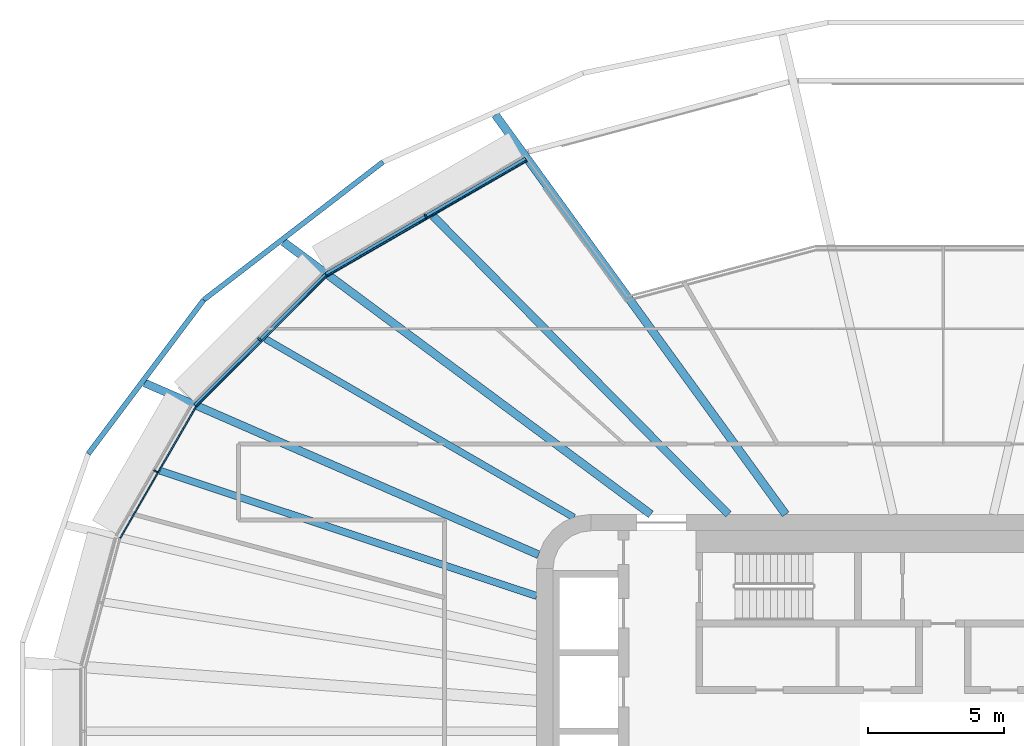
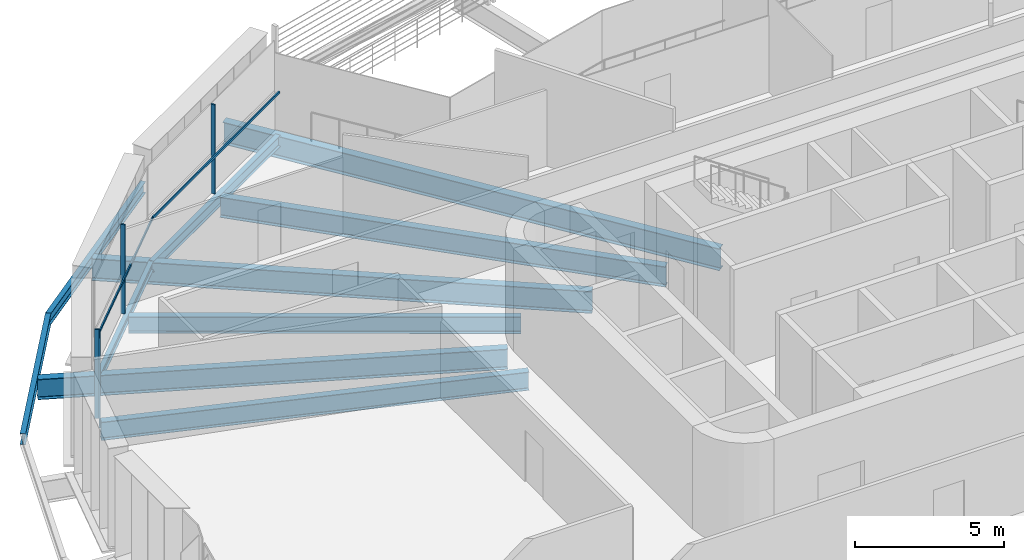
# One storey, part 7 of 24: 10 beams, 6 members, 3 elements without a shape of their own.
"""IFC4 building model written with IfcOpenShell, lengths in metres."""

import ifcopenshell
import ifcopenshell.guid

model = None  # the IFC model being written
_history = None  # IfcOwnerHistory: only IFC2X3 demands one
_inside = {}  # id of a spatial element -> (the spatial element, [elements in it])
_under = {}  # id of a project, library or spatial element -> (it, [spatial elements below it])
_declared = {}  # id of a project -> (the project, [libraries it declares])
_typed = {}  # id of a type object -> (the type object, [elements of that type])
_made_of = {}  # id of a material, layer set ... -> (it, [elements and type objects made of it])


def new_model(schema):
    """Start an empty IFC model of exactly this schema.

    Asked for "IFC4X3", IfcOpenShell would pick the latest addendum, in which some entities
    have other attributes; the version numbers below select the first issue.
    IFC2X3 requires an IfcOwnerHistory on every rooted entity: one is made here for all.
    """
    global model, _history
    if schema == "IFC4X3":
        model = ifcopenshell.file(schema_version=(4, 3, 0, 0))
    else:
        model = ifcopenshell.file(schema=schema)
    _inside.clear()
    _under.clear()
    _declared.clear()
    _typed.clear()
    _made_of.clear()
    _history = None
    if model.schema == "IFC2X3":
        org = make("IfcOrganization", Name="unknown")
        user = make(
            "IfcPersonAndOrganization",
            ThePerson=make("IfcPerson", FamilyName="unknown"),
            TheOrganization=org,
        )
        app = make(
            "IfcApplication",
            ApplicationDeveloper=org,
            Version="unknown",
            ApplicationFullName="unknown",
            ApplicationIdentifier="unknown",
        )
        _history = make(
            "IfcOwnerHistory",
            OwningUser=user,
            OwningApplication=app,
            ChangeAction="ADDED",
            CreationDate=0,
        )
    return model


def make(cls, **values):
    """One entity of the class cls with the attributes given. An attribute that is None is left unset."""
    return model.create_entity(
        cls, **{name: value for name, value in values.items() if value is not None}
    )


def rooted(cls, **values):
    """An entity with a GlobalId (a new one), such as an element, a storey or a relation."""
    return make(cls, GlobalId=ifcopenshell.guid.new(), OwnerHistory=_history, **values)


def si_unit(unit_type, name, prefix=None):
    """IfcSIUnit, for example si_unit("LENGTHUNIT", "METRE", prefix="MILLI")."""
    return make("IfcSIUnit", UnitType=unit_type, Prefix=prefix, Name=name)


def assignment(units):
    """IfcUnitAssignment: the units of a project."""
    return None if units is None else make("IfcUnitAssignment", Units=units)


def point(xyz):
    """IfcCartesianPoint."""
    return None if xyz is None else make("IfcCartesianPoint", Coordinates=xyz)


def direction(xyz):
    """IfcDirection."""
    return None if xyz is None else make("IfcDirection", DirectionRatios=xyz)


def frame(location, z_axis=None, x_axis=None):
    """IfcAxis2Placement3D, a coordinate frame: its origin and axes. An axis left out is left unset."""
    return make(
        "IfcAxis2Placement3D",
        Location=point(location),
        Axis=direction(z_axis),
        RefDirection=direction(x_axis),
    )


def frame_2d(location, x_axis=None):
    """IfcAxis2Placement2D, a coordinate frame in the plane: its origin and x axis."""
    return make(
        "IfcAxis2Placement2D", Location=point(location), RefDirection=direction(x_axis)
    )


def origin():
    """The frame at (0, 0, 0) with its axes left unset."""
    return frame((0.0, 0.0, 0.0))


def origin_2d():
    """The frame at (0, 0) in the plane with its x axis left unset."""
    return frame_2d((0.0, 0.0))


def place(relative_to, where):
    """IfcLocalPlacement: puts the frame where relative to a parent placement (None: the world)."""
    return make(
        "IfcLocalPlacement", PlacementRelTo=relative_to, RelativePlacement=where
    )


def context(
    kind, dimensions, precision=None, world=None, true_north=None, identifier=None
):
    """IfcGeometricRepresentationContext, for example the 3D "Model" context."""
    return make(
        "IfcGeometricRepresentationContext",
        ContextIdentifier=identifier,
        ContextType=kind,
        CoordinateSpaceDimension=dimensions,
        Precision=precision,
        WorldCoordinateSystem=world,
        TrueNorth=true_north,
    )


def subcontext(parent, identifier, kind, view, scale=None):
    """IfcGeometricRepresentationSubContext, for example "Body" below "Model"."""
    return make(
        "IfcGeometricRepresentationSubContext",
        ContextIdentifier=identifier,
        ContextType=kind,
        ParentContext=parent,
        TargetScale=scale,
        TargetView=view,
    )


def project(units=None, contexts=None):
    """IfcProject with its units and contexts."""
    return rooted(
        "IfcProject",
        Name="project",
        RepresentationContexts=contexts,
        UnitsInContext=assignment(units),
    )


def spatial(cls, under=None, at=None, **own):
    """A site, building, storey or space (cls), placed at a placement, below another one or the project."""
    s = rooted(cls, ObjectPlacement=at, **own)
    if under is not None:
        _under.setdefault(under.id(), (under, []))[1].append(s)
    return s


def profile(cls, at=None, kind="AREA", **sizes):
    """A parametric profile (cls). Its sizes go by their IFC names, for example OverallWidth=200.0."""
    return make(cls, ProfileType=kind, Position=at, **sizes)


def rectangle(**sizes):
    """IfcRectangleProfileDef."""
    return profile("IfcRectangleProfileDef", **sizes)


def i_section(**sizes):
    """IfcIShapeProfileDef."""
    return profile("IfcIShapeProfileDef", **sizes)


def extrude(swept, where, along, depth):
    """IfcExtrudedAreaSolid: the profile swept, set in the frame where, extruded along a direction by depth."""
    return make(
        "IfcExtrudedAreaSolid",
        SweptArea=swept,
        Position=where,
        ExtrudedDirection=direction(along),
        Depth=depth,
    )


def shape(context_of_items, identifier, shape_type, items):
    """IfcShapeRepresentation: the items that make up one representation, for example the "Body"."""
    return make(
        "IfcShapeRepresentation",
        ContextOfItems=context_of_items,
        RepresentationIdentifier=identifier,
        RepresentationType=shape_type,
        Items=items,
    )


def material(Name=None, Category=None):
    """IfcMaterial."""
    return make("IfcMaterial", Name=Name, Category=Category)


def layer(
    of_material, thickness, ventilated=None, Name=None, Category=None, Priority=None
):
    """IfcMaterialLayer: one layer of a wall or slab, of a material (None: an air gap)."""
    return make(
        "IfcMaterialLayer",
        Material=of_material,
        LayerThickness=thickness,
        IsVentilated=ventilated,
        Name=Name,
        Category=Category,
        Priority=Priority,
    )


def layer_set(layers, Name=None):
    """IfcMaterialLayerSet."""
    return make("IfcMaterialLayerSet", MaterialLayers=layers, LayerSetName=Name)


def material_profile(
    of_material, cross_section, Name=None, Category=None, Priority=None
):
    """IfcMaterialProfile: a cross section and its material."""
    return make(
        "IfcMaterialProfile",
        Name=Name,
        Material=of_material,
        Profile=cross_section,
        Priority=Priority,
        Category=Category,
    )


def profile_set(profiles, Name=None, composite=None):
    """IfcMaterialProfileSet."""
    return make(
        "IfcMaterialProfileSet",
        Name=Name,
        MaterialProfiles=profiles,
        CompositeProfile=composite,
    )


def made_of(thing, what):
    """Note that an element or type object is made of a material, layer set ...; save() writes the relation."""
    if what is not None:
        _made_of.setdefault(what.id(), (what, []))[1].append(thing)
    return thing


def type_object(cls, material=None, **own):
    """A type object (cls), such as IfcWallType, which elements share."""
    return made_of(rooted(cls, **own), material)


def element(
    cls,
    number,
    at=None,
    inside=None,
    cuts=None,
    type_object=None,
    material=None,
    context=None,
    identifier="Body",
    shape_type=None,
    held_by="IfcProductDefinitionShape",
    body=None,
    shapes=None,
    **own,
):
    """One element of the class cls, such as IfcWall. Its Tag is "e" and its number.

    at: its placement. inside: the storey or other place that contains it. cuts: it is an
    opening in that element (IfcRelVoidsElement). A single representation is given by context,
    identifier, shape_type and body (its items); several are given by shapes. held_by: the class
    of the entity that holds the representations. save() writes the other relations.
    """
    e = rooted(cls, Tag="e%d" % number, ObjectPlacement=at, **own)
    if body is not None:
        shapes = [shape(context, identifier, shape_type, body)]
    if shapes is not None:
        e.Representation = make(held_by, Representations=shapes)
    if inside is not None:
        _inside.setdefault(inside.id(), (inside, []))[1].append(e)
    if cuts is not None:
        rooted(
            "IfcRelVoidsElement", RelatingBuildingElement=cuts, RelatedOpeningElement=e
        )
    if type_object is not None:
        _typed.setdefault(type_object.id(), (type_object, []))[1].append(e)
    return made_of(e, material)


def aggregate(whole, parts):
    """IfcRelAggregates: a whole, such as a stair, and the parts it consists of."""
    return rooted("IfcRelAggregates", RelatingObject=whole, RelatedObjects=parts)


def save(model, path):
    """Write the relations noted so far, then the file.

    IfcRelAggregates (storeys below a building ...), IfcRelContainedInSpatialStructure (elements
    in a storey), IfcRelDefinesByType, IfcRelAssociatesMaterial and IfcRelDeclares: one each for
    every whole, place, type object, material and project.
    """
    for whole, parts in _under.values():
        aggregate(whole, parts)
    for where, things in _inside.values():
        rooted(
            "IfcRelContainedInSpatialStructure",
            RelatedElements=things,
            RelatingStructure=where,
        )
    for kind, things in _typed.values():
        rooted("IfcRelDefinesByType", RelatedObjects=things, RelatingType=kind)
    for what, things in _made_of.values():
        rooted("IfcRelAssociatesMaterial", RelatedObjects=things, RelatingMaterial=what)
    for by, libraries in _declared.values():
        rooted("IfcRelDeclares", RelatingContext=by, RelatedDefinitions=libraries)
    model.write(path)


model = new_model("IFC4")

# Units and contexts
model_context = context("Model", 3, precision=1e-05, world=origin(), true_north=direction((0.0, 1.0)))
body_context = subcontext(model_context, "Body", "Model", "MODEL_VIEW")
ifc_project = project(units=[si_unit("LENGTHUNIT", "METRE"), si_unit("AREAUNIT", "SQUARE_METRE"), si_unit("VOLUMEUNIT", "CUBIC_METRE"), si_unit("PLANEANGLEUNIT", "RADIAN"), si_unit("MASSUNIT", "GRAM", prefix="KILO")], contexts=[model_context])

# Site, building, storey
site_placement = place(None, origin())
site = spatial("IfcSite", under=ifc_project, at=site_placement, CompositionType="ELEMENT")
building_placement = place(site_placement, origin())
building = spatial("IfcBuilding", under=site, at=building_placement, Name="Sahrelin Media Tower", CompositionType="ELEMENT")
storey_placement = place(building_placement, frame((0.0, 0.0, 123.0)))
storey = spatial("IfcBuildingStorey", under=building, at=storey_placement, Name="L24", CompositionType="ELEMENT", Elevation=123.0)

# Beams
ifc_material_1 = material(Name="Steel S355", Category="steel")
ifc_material_profile_1 = material_profile(ifc_material_1, i_section(OverallWidth=0.17138671875, OverallDepth=0.35498046875, WebThickness=0.00732421875, FlangeThickness=0.011474609375, FilletRadius=0.01025390625, at=origin_2d()), Name="UB 356x171x51")
ifc_profile_set_1 = profile_set([ifc_material_profile_1], Name="Steel S355")
beam_type_1 = type_object("IfcBeamType", Name="Edge beam EB3", PredefinedType="BEAM", material=ifc_profile_set_1)
beam_1_placement = place(storey_placement, frame((-27.593017578125, 12.00830078125, -0.327392578125), z_axis=(0.70712470554, 0.707088856379, 0.0), x_axis=(-0.707088856379, 0.70712470554, 0.0)))
element("IfcBeam", 1, at=beam_1_placement, inside=storey, type_object=beam_type_1, Name="Edge beam L24-16", PredefinedType="BEAM", context=body_context, shape_type="SweptSolid", body=[
    extrude(i_section(OverallWidth=0.17138671875, OverallDepth=0.35498046875, WebThickness=0.00732421875, FlangeThickness=0.011474609375, FilletRadius=0.01025390625, at=origin_2d()), origin(), (0.0, 0.0, 1.0), 6.810302734375),
])
ifc_material_profile_2 = material_profile(ifc_material_1, i_section(OverallWidth=0.1904296875, OverallDepth=0.45703125, WebThickness=0.009033203125, FlangeThickness=0.014404296875, FilletRadius=0.01025390625, at=origin_2d()), Name="UB 457x191x74")
ifc_profile_set_2 = profile_set([ifc_material_profile_2], Name="Steel S355")
beam_type_2 = type_object("IfcBeamType", Name="Edge beam EB5", PredefinedType="BEAM", material=ifc_profile_set_2)
beam_2_placement = place(storey_placement, frame((-22.75439453125, 16.84130859375, -0.37841796875), z_axis=(0.866022555323, 0.500004933648, 0.0), x_axis=(-0.500004933648, 0.866022555323, 0.0)))
element("IfcBeam", 2, at=beam_2_placement, inside=storey, type_object=beam_type_2, Name="Edge beam L24-17", PredefinedType="BEAM", context=body_context, shape_type="SweptSolid", body=[
    extrude(i_section(OverallWidth=0.1904296875, OverallDepth=0.45703125, WebThickness=0.009033203125, FlangeThickness=0.014404296875, FilletRadius=0.01025390625, at=origin_2d()), origin(), (0.0, 0.0, 1.0), 8.50390625),
])

# Curtain wall, member
ifc_material_2 = material(Name="Champagne anodised aluminium 6063-T6", Category="aluminium")
ifc_layer = layer(ifc_material_2, 0.14990234375)
ifc_layer_set = layer_set([ifc_layer], Name="Tower ribbon curtain wall")
curtain_wall_type = type_object("IfcCurtainWallType", Name="Tower ribbon curtain wall", PredefinedType="NOTDEFINED", material=ifc_layer_set)
curtain_wall_1_placement = place(storey_placement, frame((-19.147216796875, 19.09716796875, 0.0), z_axis=(0.0, 0.0, 1.0), x_axis=(1.0, 0.0, 0.0)))
curtain_wall_1 = element("IfcCurtainWall", 3, at=curtain_wall_1_placement, inside=storey, type_object=curtain_wall_type, Name="L24:CW:L24-08", PredefinedType="NOTDEFINED")
ifc_material_profile_3 = material_profile(ifc_material_2, rectangle(XDim=0.06005859375, YDim=0.14990234375, at=origin_2d()), Name="Mullion 60x150")
ifc_profile_set_3 = profile_set([ifc_material_profile_3], Name="Champagne anodised aluminium 6063-T6")
member_type_1 = type_object("IfcMemberType", Name="Mullion 60x150 CW1", PredefinedType="MULLION", material=ifc_profile_set_3)
member_1_placement = place(storey_placement, frame((-19.099609375, 19.014892578125, 0.0), z_axis=(0.0, 0.0, 1.0), x_axis=(-0.866022785779, -0.500004534492, 0.0)))
member_1 = element("IfcMember", 4, at=member_1_placement, type_object=member_type_1, Name="L24:CWM:L24-08", PredefinedType="MULLION", context=body_context, shape_type="SweptSolid", body=[
    extrude(rectangle(XDim=0.06005859375, YDim=0.14990234375, at=origin_2d()), origin(), (0.0, 0.0, 1.0), 3.648681640625),
])

curtain_wall_2_placement = place(storey_placement, frame((-25.291259765625, 14.52197265625, 0.0), z_axis=(0.0, 0.0, 1.0), x_axis=(1.0, 0.0, 0.0)))
curtain_wall_2 = element("IfcCurtainWall", 5, at=curtain_wall_2_placement, inside=storey, type_object=curtain_wall_type, Name="L24:CW:L24-09", PredefinedType="NOTDEFINED")
member_2_placement = place(storey_placement, frame((-25.22412109375, 14.454833984375, 0.0), z_axis=(0.0, 0.0, 1.0), x_axis=(-0.707106781187, -0.707106781187, 0.0)))
member_2 = element("IfcMember", 6, at=member_2_placement, type_object=member_type_1, Name="L24:CWM:L24-09", PredefinedType="MULLION", context=body_context, shape_type="SweptSolid", body=[
    extrude(rectangle(XDim=0.06005859375, YDim=0.14990234375, at=origin_2d()), origin(), (0.0, 0.0, 1.0), 3.648681640625),
])

curtain_wall_3_placement = place(storey_placement, frame((-29.138916015625, 9.63818359375, 0.0), z_axis=(0.0, 0.0, 1.0), x_axis=(1.0, 0.0, 0.0)))
curtain_wall_3 = element("IfcCurtainWall", 7, at=curtain_wall_3_placement, inside=storey, type_object=curtain_wall_type, Name="L24:CW:L24-10", PredefinedType="NOTDEFINED")
member_3_placement = place(storey_placement, frame((-29.056396484375, 9.590576171875, 0.0), z_axis=(0.0, 0.0, 1.0), x_axis=(-0.4999984885, -0.866026276448, 0.0)))
member_3 = element("IfcMember", 8, at=member_3_placement, type_object=member_type_1, Name="L24:CWM:L24-10", PredefinedType="MULLION", context=body_context, shape_type="SweptSolid", body=[
    extrude(rectangle(XDim=0.06005859375, YDim=0.14990234375, at=origin_2d()), origin(), (0.0, 0.0, 1.0), 3.648681640625),
])

# Beams
ifc_material_profile_4 = material_profile(ifc_material_1, i_section(OverallWidth=0.291748046875, OverallDepth=0.8349609375, WebThickness=0.013916015625, FlangeThickness=0.018798828125, FilletRadius=0.017822265625, at=origin_2d()), Name="UB 838x292x176")
ifc_profile_set_4 = profile_set([ifc_material_profile_4], Name="Steel S355")
beam_type_3 = type_object("IfcBeamType", Name="Radial primary beam PB10", PredefinedType="BEAM", material=ifc_profile_set_4)
beam_3_placement = place(storey_placement, frame((-14.9326171875, 6.51220703125, -0.5673828125), z_axis=(-0.916634616148, 0.399726131844, 0.0), x_axis=(-0.399726131844, -0.916634616148, 0.0)))
element("IfcBeam", 9, at=beam_3_placement, inside=storey, type_object=beam_type_3, Name="Radial beam L24-10", PredefinedType="BEAM", context=body_context, shape_type="SweptSolid", body=[
    extrude(i_section(OverallWidth=0.291748046875, OverallDepth=0.8349609375, WebThickness=0.013916015625, FlangeThickness=0.018798828125, FilletRadius=0.017822265625, at=origin_2d()), origin(), (0.0, 0.0, 1.0), 15.8505859375),
])
ifc_material_profile_5 = material_profile(ifc_material_1, i_section(OverallWidth=0.30322265625, OverallDepth=0.903076171875, WebThickness=0.01513671875, FlangeThickness=0.020263671875, FilletRadius=0.01904296875, at=origin_2d()), Name="UB 914x305x201")
ifc_profile_set_5 = profile_set([ifc_material_profile_5], Name="Steel S355")
beam_type_4 = type_object("IfcBeamType", Name="Radial primary beam PB11", PredefinedType="BEAM", material=ifc_profile_set_5)
beam_4_placement = place(storey_placement, frame((-5.813720703125, 8.0, -0.6015625), z_axis=(-0.587854545136, 0.808966645643, 0.0), x_axis=(-0.808966645643, -0.587854545136, 0.0)))
element("IfcBeam", 10, at=beam_4_placement, inside=storey, type_object=beam_type_4, Name="Radial beam L24-08", PredefinedType="BEAM", context=body_context, shape_type="SweptSolid", body=[
    extrude(i_section(OverallWidth=0.30322265625, OverallDepth=0.903076171875, WebThickness=0.01513671875, FlangeThickness=0.020263671875, FilletRadius=0.01904296875, at=origin_2d()), origin(), (0.0, 0.0, 1.0), 18.219482421875),
])
beam_5_placement = place(storey_placement, frame((-10.78662109375, 8.0, -0.6015625), z_axis=(-0.803198279185, 0.595711779566, 0.0), x_axis=(-0.595711779566, -0.803198279185, 0.0)))
element("IfcBeam", 11, at=beam_5_placement, inside=storey, type_object=beam_type_4, Name="Radial beam L24-09", PredefinedType="BEAM", context=body_context, shape_type="SweptSolid", body=[
    extrude(i_section(OverallWidth=0.30322265625, OverallDepth=0.903076171875, WebThickness=0.01513671875, FlangeThickness=0.020263671875, FilletRadius=0.01904296875, at=origin_2d()), origin(), (0.0, 0.0, 1.0), 16.876708984375),
])
ifc_material_profile_6 = material_profile(ifc_material_1, i_section(OverallWidth=0.291748046875, OverallDepth=0.8349609375, WebThickness=0.013916015625, FlangeThickness=0.018798828125, FilletRadius=0.017822265625, at=origin_2d()), Name="UB 838x292x176")
ifc_profile_set_6 = profile_set([ifc_material_profile_6], Name="Steel S355")
beam_type_5 = type_object("IfcBeamType", Name="Radial secondary beam SB10", PredefinedType="BEAM", material=ifc_profile_set_6)
beam_6_placement = place(storey_placement, frame((-7.922607421875, 8.0, -0.5673828125), z_axis=(-0.70365366742, 0.710543113629, 0.0), x_axis=(-0.710543113629, -0.70365366742, 0.0)))
element("IfcBeam", 12, at=beam_6_placement, inside=storey, type_object=beam_type_5, Name="Secondary beam L24-04", PredefinedType="BEAM", context=body_context, shape_type="SweptSolid", body=[
    extrude(i_section(OverallWidth=0.291748046875, OverallDepth=0.8349609375, WebThickness=0.013916015625, FlangeThickness=0.018798828125, FilletRadius=0.017822265625, at=origin_2d()), origin(), (0.0, 0.0, 1.0), 15.48583984375),
])
ifc_material_profile_7 = material_profile(ifc_material_1, i_section(OverallWidth=0.2529296875, OverallDepth=0.677978515625, WebThickness=0.01171875, FlangeThickness=0.01611328125, FilletRadius=0.01513671875, at=origin_2d()), Name="UB 686x254x125")
ifc_profile_set_7 = profile_set([ifc_material_profile_7], Name="Steel S355")
beam_type_6 = type_object("IfcBeamType", Name="Radial secondary beam SB8", PredefinedType="BEAM", material=ifc_profile_set_7)
beam_7_placement = place(storey_placement, frame((-13.626220703125, 7.886962890625, -0.489013671875), z_axis=(-0.865481790925, 0.500940385252, 0.0), x_axis=(-0.500940385252, -0.865481790925, 0.0)))
element("IfcBeam", 13, at=beam_7_placement, inside=storey, type_object=beam_type_6, Name="Secondary beam L24-05", PredefinedType="BEAM", context=body_context, shape_type="SweptSolid", body=[
    extrude(i_section(OverallWidth=0.2529296875, OverallDepth=0.677978515625, WebThickness=0.01171875, FlangeThickness=0.01611328125, FilletRadius=0.01513671875, at=origin_2d()), origin(), (0.0, 0.0, 1.0), 13.148681640625),
])
ifc_material_profile_8 = material_profile(ifc_material_1, i_section(OverallWidth=0.26513671875, OverallDepth=0.75390625, WebThickness=0.0126953125, FlangeThickness=0.017578125, FilletRadius=0.0166015625, at=origin_2d()), Name="UB 762x267x147")
ifc_profile_set_8 = profile_set([ifc_material_profile_8], Name="Steel S355")
beam_type_7 = type_object("IfcBeamType", Name="Radial secondary beam SB9", PredefinedType="BEAM", material=ifc_profile_set_8)
beam_8_placement = place(storey_placement, frame((-15.0, 4.989501953125, -0.527099609375), z_axis=(-0.948886617928, 0.315617151493, 0.0), x_axis=(-0.315617151493, -0.948886617928, 0.0)))
element("IfcBeam", 14, at=beam_8_placement, inside=storey, type_object=beam_type_7, Name="Secondary beam L24-06", PredefinedType="BEAM", context=body_context, shape_type="SweptSolid", body=[
    extrude(i_section(OverallWidth=0.26513671875, OverallDepth=0.75390625, WebThickness=0.0126953125, FlangeThickness=0.017578125, FilletRadius=0.0166015625, at=origin_2d()), origin(), (0.0, 0.0, 1.0), 14.63525390625),
])
ifc_material_profile_9 = material_profile(ifc_material_1, i_section(OverallWidth=0.1904296875, OverallDepth=0.45703125, WebThickness=0.009033203125, FlangeThickness=0.014404296875, FilletRadius=0.01025390625, at=origin_2d()), Name="UB 457x191x74")
ifc_profile_set_9 = profile_set([ifc_material_profile_9], Name="Steel S355")
beam_type_8 = type_object("IfcBeamType", Name="Tie chord TC5", PredefinedType="BEAM", material=ifc_profile_set_9)
beam_9_placement = place(storey_placement, frame((-20.668701171875, 21.00146484375, -0.37841796875), z_axis=(-0.792439163216, -0.609950959178, 0.0), x_axis=(0.609950959178, -0.792439163216, 0.0)))
element("IfcBeam", 15, at=beam_9_placement, inside=storey, type_object=beam_type_8, Name="Tie chord L24-09", PredefinedType="BEAM", context=body_context, shape_type="SweptSolid", body=[
    extrude(i_section(OverallWidth=0.1904296875, OverallDepth=0.45703125, WebThickness=0.009033203125, FlangeThickness=0.014404296875, FilletRadius=0.01025390625, at=origin_2d()), origin(), (0.0, 0.0, 1.0), 8.349365234375),
])
beam_10_placement = place(storey_placement, frame((-27.28515625, 15.90869140625, -0.37841796875), z_axis=(-0.600055058973, -0.79995870281, 0.0), x_axis=(0.79995870281, -0.600055058973, 0.0)))
element("IfcBeam", 16, at=beam_10_placement, inside=storey, type_object=beam_type_8, Name="Tie chord L24-10", PredefinedType="BEAM", context=body_context, shape_type="SweptSolid", body=[
    extrude(i_section(OverallWidth=0.1904296875, OverallDepth=0.45703125, WebThickness=0.009033203125, FlangeThickness=0.014404296875, FilletRadius=0.01025390625, at=origin_2d()), origin(), (0.0, 0.0, 1.0), 7.094482421875),
])

# Member
ifc_material_profile_10 = material_profile(ifc_material_2, rectangle(XDim=0.050048828125, YDim=0.10009765625, at=origin_2d()), Name="Transom 50x100")
ifc_profile_set_10 = profile_set([ifc_material_profile_10], Name="Champagne anodised aluminium 6063-T6")
member_type_2 = type_object("IfcMemberType", Name="Transom 50x100 CW1", PredefinedType="USERDEFINED", material=ifc_profile_set_10)
member_4_placement = place(storey_placement, frame((-15.381103515625, 21.04638671875, 1.60009765625), z_axis=(-0.866021473228, -0.500006807861, 0.0), x_axis=(0.500006807861, -0.866021473228, 0.0)))
member_4 = element("IfcMember", 17, at=member_4_placement, type_object=member_type_2, Name="L24:CWT:L24-08", ObjectType="TRANSOM", PredefinedType="USERDEFINED", context=body_context, shape_type="SweptSolid", body=[
    extrude(rectangle(XDim=0.050048828125, YDim=0.10009765625, at=origin_2d()), origin(), (0.0, 0.0, 1.0), 8.47265625),
])

aggregate(curtain_wall_1, [member_1, member_4])

member_5_placement = place(storey_placement, frame((-22.756591796875, 16.78076171875, 1.60009765625), z_axis=(-0.707124788617, -0.707088773297, 0.0), x_axis=(0.707088773297, -0.707124788617, 0.0)))
member_5 = element("IfcMember", 18, at=member_5_placement, type_object=member_type_2, Name="L24:CWT:L24-09", ObjectType="TRANSOM", PredefinedType="USERDEFINED", context=body_context, shape_type="SweptSolid", body=[
    extrude(rectangle(XDim=0.050048828125, YDim=0.10009765625, at=origin_2d()), origin(), (0.0, 0.0, 1.0), 6.77880859375),
])

aggregate(curtain_wall_2, [member_2, member_5])

member_6_placement = place(storey_placement, frame((-27.579345703125, 11.94921875, 1.60009765625), z_axis=(-0.500009936039, -0.866019667134, 0.0), x_axis=(0.866019667134, -0.500009936039, 0.0)))
member_6 = element("IfcMember", 19, at=member_6_placement, type_object=member_type_2, Name="L24:CWT:L24-10", ObjectType="TRANSOM", PredefinedType="USERDEFINED", context=body_context, shape_type="SweptSolid", body=[
    extrude(rectangle(XDim=0.050048828125, YDim=0.10009765625, at=origin_2d()), origin(), (0.0, 0.0, 1.0), 5.5625),
])

aggregate(curtain_wall_3, [member_3, member_6])

save(model, "model.ifc")
